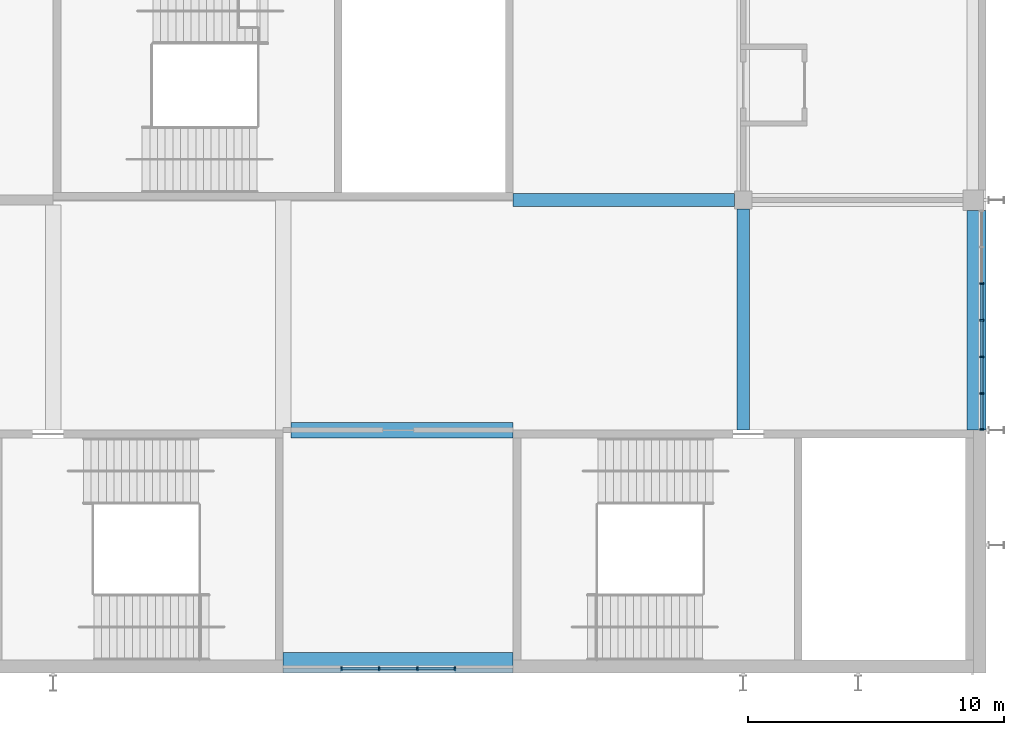
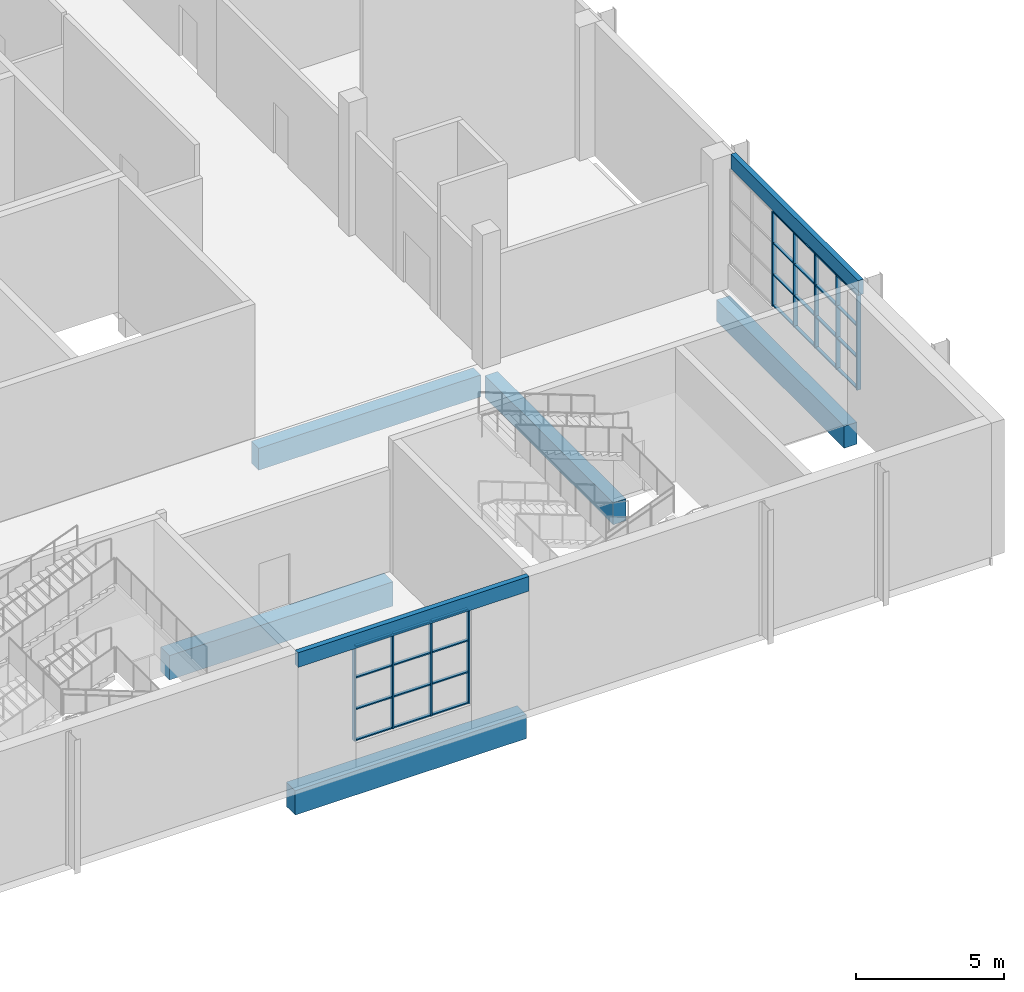
# One storey, part 21 of 84: 37 members, 7 beams, 2 elements without a shape of their own.
"""IFC4 building model written with IfcOpenShell, lengths in metres."""

from ifc_helpers import new_model, si_unit, direction, frame, origin, origin_2d, place, context, subcontext, project, spatial, rectangle, extrude, material, material_profile, profile_set, type_object, element, aggregate, save


model = new_model("IFC4")

# Units and contexts
model_context = context("Model", 3, precision=1e-05, world=origin(), true_north=direction((0.0, 1.0)))
body_context = subcontext(model_context, "Body", "Model", "MODEL_VIEW")
ifc_project = project(units=[si_unit("LENGTHUNIT", "METRE"), si_unit("AREAUNIT", "SQUARE_METRE"), si_unit("VOLUMEUNIT", "CUBIC_METRE"), si_unit("PLANEANGLEUNIT", "RADIAN"), si_unit("MASSUNIT", "GRAM", prefix="KILO")], contexts=[model_context])

# Site, building, storey
site_placement = place(None, origin())
site = spatial("IfcSite", under=ifc_project, at=site_placement, CompositionType="ELEMENT")
building_placement = place(site_placement, origin())
building = spatial("IfcBuilding", under=site, at=building_placement, Name="Silverbay Arena", CompositionType="ELEMENT")
storey_placement = place(building_placement, frame((0.0, 0.0, 28.0)))
storey = spatial("IfcBuildingStorey", under=building, at=storey_placement, Name="L04", CompositionType="ELEMENT", Elevation=28.0)

# Curtain wall, members
ifc_material_1 = material(Name="Aluminium framed curtain wall", Category="aluminium")
curtain_wall_type_1 = type_object("IfcCurtainWallType", Name="Curtain wall 4500 x 3900", PredefinedType="NOTDEFINED", material=ifc_material_1)
curtain_wall_1_placement = place(storey_placement, origin())
curtain_wall_1 = element("IfcCurtainWall", 1, at=curtain_wall_1_placement, inside=storey, type_object=curtain_wall_type_1, Name="South curtain wall L04 bay 15", PredefinedType="NOTDEFINED")
ifc_material_2 = material(Name="Aluminium", Category="aluminium")
ifc_material_profile_1 = material_profile(ifc_material_2, rectangle(XDim=0.159912109375, YDim=0.06005859375, at=origin_2d()), Name="Mullion 60 x 160")
ifc_profile_set_1 = profile_set([ifc_material_profile_1], Name="Aluminium")
member_type_1 = type_object("IfcMemberType", Name="Mullion 60 x 160", PredefinedType="MULLION", material=ifc_profile_set_1)
member_1_placement = place(storey_placement, frame((182.280029296875, 17.669921875, 1.0), z_axis=(0.0, 0.0, 1.0), x_axis=(0.0, 1.0, 0.0)))
member_1 = element("IfcMember", 2, at=member_1_placement, type_object=member_type_1, Name="CW15 mullion 1", PredefinedType="MULLION", context=body_context, shape_type="SweptSolid", body=[
    extrude(rectangle(XDim=0.159912109375, YDim=0.06005859375, at=origin_2d()), origin(), (0.0, 0.0, 1.0), 3.89990234375),
])
member_2_placement = place(storey_placement, frame((183.75, 17.669921875, 1.0), z_axis=(0.0, 0.0, 1.0), x_axis=(0.0, 1.0, 0.0)))
member_2 = element("IfcMember", 3, at=member_2_placement, type_object=member_type_1, Name="CW15 mullion 2", PredefinedType="MULLION", context=body_context, shape_type="SweptSolid", body=[
    extrude(rectangle(XDim=0.159912109375, YDim=0.06005859375, at=origin_2d()), origin(), (0.0, 0.0, 1.0), 3.89990234375),
])
member_3_placement = place(storey_placement, frame((185.25, 17.669921875, 1.0), z_axis=(0.0, 0.0, 1.0), x_axis=(0.0, 1.0, 0.0)))
member_3 = element("IfcMember", 4, at=member_3_placement, type_object=member_type_1, Name="CW15 mullion 3", PredefinedType="MULLION", context=body_context, shape_type="SweptSolid", body=[
    extrude(rectangle(XDim=0.159912109375, YDim=0.06005859375, at=origin_2d()), origin(), (0.0, 0.0, 1.0), 3.89990234375),
])
member_4_placement = place(storey_placement, frame((186.719970703125, 17.669921875, 1.0), z_axis=(0.0, 0.0, 1.0), x_axis=(0.0, 1.0, 0.0)))
member_4 = element("IfcMember", 5, at=member_4_placement, type_object=member_type_1, Name="CW15 mullion 4", PredefinedType="MULLION", context=body_context, shape_type="SweptSolid", body=[
    extrude(rectangle(XDim=0.159912109375, YDim=0.06005859375, at=origin_2d()), origin(), (0.0, 0.0, 1.0), 3.89990234375),
])

ifc_material_3 = material(Name="Aluminium framed curtain wall", Category="aluminium")
curtain_wall_type_2 = type_object("IfcCurtainWallType", Name="Curtain wall 8600 x 3900", PredefinedType="NOTDEFINED", material=ifc_material_3)
curtain_wall_2_placement = place(storey_placement, origin())
curtain_wall_2 = element("IfcCurtainWall", 6, at=curtain_wall_2_placement, inside=storey, type_object=curtain_wall_type_2, Name="East curtain wall L04 bay 2", PredefinedType="NOTDEFINED")
member_5_placement = place(storey_placement, frame((207.330078125, 27.030029296875, 1.0), z_axis=(0.0, 0.0, 1.0), x_axis=(-1.0, 0.0, 0.0)))
member_5 = element("IfcMember", 7, at=member_5_placement, type_object=member_type_1, Name="CW1 mullion 1", PredefinedType="MULLION", context=body_context, shape_type="SweptSolid", body=[
    extrude(rectangle(XDim=0.159912109375, YDim=0.06005859375, at=origin_2d()), origin(), (0.0, 0.0, 1.0), 3.89990234375),
])
member_6_placement = place(storey_placement, frame((207.330078125, 28.433349609375, 1.0), z_axis=(0.0, 0.0, 1.0), x_axis=(-1.0, 0.0, 0.0)))
member_6 = element("IfcMember", 8, at=member_6_placement, type_object=member_type_1, Name="CW1 mullion 2", PredefinedType="MULLION", context=body_context, shape_type="SweptSolid", body=[
    extrude(rectangle(XDim=0.159912109375, YDim=0.06005859375, at=origin_2d()), origin(), (0.0, 0.0, 1.0), 3.89990234375),
])
member_7_placement = place(storey_placement, frame((207.330078125, 29.86669921875, 1.0), z_axis=(0.0, 0.0, 1.0), x_axis=(-1.0, 0.0, 0.0)))
member_7 = element("IfcMember", 9, at=member_7_placement, type_object=member_type_1, Name="CW1 mullion 3", PredefinedType="MULLION", context=body_context, shape_type="SweptSolid", body=[
    extrude(rectangle(XDim=0.159912109375, YDim=0.06005859375, at=origin_2d()), origin(), (0.0, 0.0, 1.0), 3.89990234375),
])
member_8_placement = place(storey_placement, frame((207.330078125, 31.300048828125, 1.0), z_axis=(0.0, 0.0, 1.0), x_axis=(-1.0, 0.0, 0.0)))
member_8 = element("IfcMember", 10, at=member_8_placement, type_object=member_type_1, Name="CW1 mullion 4", PredefinedType="MULLION", context=body_context, shape_type="SweptSolid", body=[
    extrude(rectangle(XDim=0.159912109375, YDim=0.06005859375, at=origin_2d()), origin(), (0.0, 0.0, 1.0), 3.89990234375),
])
member_9_placement = place(storey_placement, frame((207.330078125, 32.7333984375, 1.0), z_axis=(0.0, 0.0, 1.0), x_axis=(-1.0, 0.0, 0.0)))
member_9 = element("IfcMember", 11, at=member_9_placement, type_object=member_type_1, Name="CW1 mullion 5", PredefinedType="MULLION", context=body_context, shape_type="SweptSolid", body=[
    extrude(rectangle(XDim=0.159912109375, YDim=0.06005859375, at=origin_2d()), origin(), (0.0, 0.0, 1.0), 3.89990234375),
])

# Beams
ifc_material_4 = material(Name="Concrete Grade C45", Category="concrete")
ifc_material_profile_2 = material_profile(ifc_material_4, rectangle(XDim=0.5, YDim=0.89990234375, at=origin_2d()), Name="RC 500x900")
ifc_profile_set_2 = profile_set([ifc_material_profile_2], Name="Concrete Grade C45")
beam_type_1 = type_object("IfcBeamType", Name="RC beam 500x900", PredefinedType="BEAM", material=ifc_profile_set_2)
for number, where, z_axis, x_axis, name in (
    (12, (189.0, 36.0, -0.75), (1.0, 0.0, 0.0), (0.0, 1.0, 0.0), "Floor beam L04 013"),
    (13, (198.0, 27.0, -0.75), (0.0, 1.0, 0.0), (-1.0, 0.0, 0.0), "Floor beam L04 145"),
):
    element("IfcBeam", number, at=place(storey_placement, frame(where, z_axis=z_axis, x_axis=x_axis)), inside=storey, type_object=beam_type_1, Name=name, PredefinedType="BEAM", context=body_context, shape_type="SweptSolid", body=[
        extrude(rectangle(XDim=0.5, YDim=0.89990234375, at=origin_2d()), origin(), (0.0, 0.0, 1.0), 8.64990234375),
    ])
beam_1_placement = place(storey_placement, frame((207.0, 27.0, -0.75), z_axis=(0.0, 1.0, 0.0), x_axis=(-1.0, 0.0, 0.0)))
element("IfcBeam", 14, at=beam_1_placement, inside=storey, type_object=beam_type_1, Name="Floor beam L04 153", PredefinedType="BEAM", context=body_context, shape_type="SweptSolid", body=[
    extrude(rectangle(XDim=0.5, YDim=0.89990234375, at=origin_2d()), origin(), (0.0, 0.0, 1.0), 8.60009765625),
])
ifc_material_5 = material(Name="Concrete Grade C45", Category="concrete")
ifc_material_profile_3 = material_profile(ifc_material_5, rectangle(XDim=0.60009765625, YDim=1.0, at=origin_2d()), Name="RC 600x1000")
ifc_profile_set_3 = profile_set([ifc_material_profile_3], Name="Concrete Grade C45")
beam_type_2 = type_object("IfcBeamType", Name="RC beam 600x1000", PredefinedType="BEAM", material=ifc_profile_set_3)
beam_2_placement = place(storey_placement, frame((180.0, 18.0, -0.800048828125), z_axis=(1.0, 0.0, 0.0), x_axis=(0.0, 1.0, 0.0)))
element("IfcBeam", 15, at=beam_2_placement, inside=storey, type_object=beam_type_2, Name="Floor beam L04 005", PredefinedType="BEAM", context=body_context, shape_type="SweptSolid", body=[
    extrude(rectangle(XDim=0.60009765625, YDim=1.0, at=origin_2d()), origin(), (0.0, 0.0, 1.0), 9.0),
])
beam_3_placement = place(storey_placement, frame((180.300048828125, 27.0, -0.800048828125), z_axis=(1.0, 0.0, 0.0), x_axis=(0.0, 1.0, 0.0)))
element("IfcBeam", 16, at=beam_3_placement, inside=storey, type_object=beam_type_2, Name="Floor beam L04 010", PredefinedType="BEAM", context=body_context, shape_type="SweptSolid", body=[
    extrude(rectangle(XDim=0.60009765625, YDim=1.0, at=origin_2d()), origin(), (0.0, 0.0, 1.0), 8.699951171875),
])
ifc_material_6 = material(Name="Concrete Grade C45", Category="concrete")
ifc_material_profile_4 = material_profile(ifc_material_6, rectangle(XDim=0.199951171875, YDim=0.60009765625, at=origin_2d()), Name="RC 200x600")
ifc_profile_set_4 = profile_set([ifc_material_profile_4], Name="Concrete Grade C45")
beam_type_3 = type_object("IfcBeamType", Name="RC facade beam 200x600", PredefinedType="SPANDREL", material=ifc_profile_set_4)
beam_4_placement = place(storey_placement, frame((180.0, 17.60009765625, 5.199951171875), z_axis=(1.0, 0.0, 0.0), x_axis=(0.0, 1.0, 0.0)))
element("IfcBeam", 17, at=beam_4_placement, inside=storey, type_object=beam_type_3, Name="Facade beam L04 south", PredefinedType="SPANDREL", context=body_context, shape_type="SweptSolid", body=[
    extrude(rectangle(XDim=0.199951171875, YDim=0.60009765625, at=origin_2d()), origin(), (0.0, 0.0, 1.0), 9.0),
])
beam_5_placement = place(storey_placement, frame((207.39990234375, 27.0, 5.199951171875), z_axis=(0.0, 1.0, 0.0), x_axis=(-1.0, 0.0, 0.0)))
element("IfcBeam", 18, at=beam_5_placement, inside=storey, type_object=beam_type_3, Name="Facade beam L04 east", PredefinedType="SPANDREL", context=body_context, shape_type="SweptSolid", body=[
    extrude(rectangle(XDim=0.199951171875, YDim=0.60009765625, at=origin_2d()), origin(), (0.0, 0.0, 1.0), 8.60009765625),
])

# Member
ifc_material_7 = material(Name="Aluminium", Category="aluminium")
ifc_material_profile_5 = material_profile(ifc_material_7, rectangle(XDim=0.1201171875, YDim=0.050048828125, at=origin_2d()), Name="Transom 50 x 120")
ifc_profile_set_5 = profile_set([ifc_material_profile_5], Name="Aluminium")
member_type_2 = type_object("IfcMemberType", Name="Transom 50 x 120", PredefinedType="USERDEFINED", material=ifc_profile_set_5)
member_10_placement = place(storey_placement, frame((182.31005859375, 17.669921875, 1.02490234375), z_axis=(1.0, 0.0, 0.0), x_axis=(0.0, 1.0, 0.0)))
member_10 = element("IfcMember", 19, at=member_10_placement, type_object=member_type_2, Name="CW15 transom 1.1", ObjectType="TRANSOM", PredefinedType="USERDEFINED", context=body_context, shape_type="SweptSolid", body=[
    extrude(rectangle(XDim=0.1201171875, YDim=0.050048828125, at=origin_2d()), origin(), (0.0, 0.0, 1.0), 1.409912109375),
])

member_11_placement = place(storey_placement, frame((182.31005859375, 17.669921875, 2.300048828125), z_axis=(1.0, 0.0, 0.0), x_axis=(0.0, 1.0, 0.0)))
member_11 = element("IfcMember", 20, at=member_11_placement, type_object=member_type_2, Name="CW15 transom 1.2", ObjectType="TRANSOM", PredefinedType="USERDEFINED", context=body_context, shape_type="SweptSolid", body=[
    extrude(rectangle(XDim=0.1201171875, YDim=0.050048828125, at=origin_2d()), origin(), (0.0, 0.0, 1.0), 1.409912109375),
])

member_12_placement = place(storey_placement, frame((182.31005859375, 17.669921875, 3.60009765625), z_axis=(1.0, 0.0, 0.0), x_axis=(0.0, 1.0, 0.0)))
member_12 = element("IfcMember", 21, at=member_12_placement, type_object=member_type_2, Name="CW15 transom 1.3", ObjectType="TRANSOM", PredefinedType="USERDEFINED", context=body_context, shape_type="SweptSolid", body=[
    extrude(rectangle(XDim=0.1201171875, YDim=0.050048828125, at=origin_2d()), origin(), (0.0, 0.0, 1.0), 1.409912109375),
])

member_13_placement = place(storey_placement, frame((182.31005859375, 17.669921875, 4.875), z_axis=(1.0, 0.0, 0.0), x_axis=(0.0, 1.0, 0.0)))
member_13 = element("IfcMember", 22, at=member_13_placement, type_object=member_type_2, Name="CW15 transom 1.4", ObjectType="TRANSOM", PredefinedType="USERDEFINED", context=body_context, shape_type="SweptSolid", body=[
    extrude(rectangle(XDim=0.1201171875, YDim=0.050048828125, at=origin_2d()), origin(), (0.0, 0.0, 1.0), 1.409912109375),
])

member_14_placement = place(storey_placement, frame((183.780029296875, 17.669921875, 1.02490234375), z_axis=(1.0, 0.0, 0.0), x_axis=(0.0, 1.0, 0.0)))
member_14 = element("IfcMember", 23, at=member_14_placement, type_object=member_type_2, Name="CW15 transom 2.1", ObjectType="TRANSOM", PredefinedType="USERDEFINED", context=body_context, shape_type="SweptSolid", body=[
    extrude(rectangle(XDim=0.1201171875, YDim=0.050048828125, at=origin_2d()), origin(), (0.0, 0.0, 1.0), 1.43994140625),
])

member_15_placement = place(storey_placement, frame((183.780029296875, 17.669921875, 2.300048828125), z_axis=(1.0, 0.0, 0.0), x_axis=(0.0, 1.0, 0.0)))
member_15 = element("IfcMember", 24, at=member_15_placement, type_object=member_type_2, Name="CW15 transom 2.2", ObjectType="TRANSOM", PredefinedType="USERDEFINED", context=body_context, shape_type="SweptSolid", body=[
    extrude(rectangle(XDim=0.1201171875, YDim=0.050048828125, at=origin_2d()), origin(), (0.0, 0.0, 1.0), 1.43994140625),
])

member_16_placement = place(storey_placement, frame((183.780029296875, 17.669921875, 3.60009765625), z_axis=(1.0, 0.0, 0.0), x_axis=(0.0, 1.0, 0.0)))
member_16 = element("IfcMember", 25, at=member_16_placement, type_object=member_type_2, Name="CW15 transom 2.3", ObjectType="TRANSOM", PredefinedType="USERDEFINED", context=body_context, shape_type="SweptSolid", body=[
    extrude(rectangle(XDim=0.1201171875, YDim=0.050048828125, at=origin_2d()), origin(), (0.0, 0.0, 1.0), 1.43994140625),
])

member_17_placement = place(storey_placement, frame((183.780029296875, 17.669921875, 4.875), z_axis=(1.0, 0.0, 0.0), x_axis=(0.0, 1.0, 0.0)))
member_17 = element("IfcMember", 26, at=member_17_placement, type_object=member_type_2, Name="CW15 transom 2.4", ObjectType="TRANSOM", PredefinedType="USERDEFINED", context=body_context, shape_type="SweptSolid", body=[
    extrude(rectangle(XDim=0.1201171875, YDim=0.050048828125, at=origin_2d()), origin(), (0.0, 0.0, 1.0), 1.43994140625),
])

member_18_placement = place(storey_placement, frame((185.280029296875, 17.669921875, 1.02490234375), z_axis=(1.0, 0.0, 0.0), x_axis=(0.0, 1.0, 0.0)))
member_18 = element("IfcMember", 27, at=member_18_placement, type_object=member_type_2, Name="CW15 transom 3.1", ObjectType="TRANSOM", PredefinedType="USERDEFINED", context=body_context, shape_type="SweptSolid", body=[
    extrude(rectangle(XDim=0.1201171875, YDim=0.050048828125, at=origin_2d()), origin(), (0.0, 0.0, 1.0), 1.409912109375),
])

member_19_placement = place(storey_placement, frame((185.280029296875, 17.669921875, 2.300048828125), z_axis=(1.0, 0.0, 0.0), x_axis=(0.0, 1.0, 0.0)))
member_19 = element("IfcMember", 28, at=member_19_placement, type_object=member_type_2, Name="CW15 transom 3.2", ObjectType="TRANSOM", PredefinedType="USERDEFINED", context=body_context, shape_type="SweptSolid", body=[
    extrude(rectangle(XDim=0.1201171875, YDim=0.050048828125, at=origin_2d()), origin(), (0.0, 0.0, 1.0), 1.409912109375),
])

member_20_placement = place(storey_placement, frame((185.280029296875, 17.669921875, 3.60009765625), z_axis=(1.0, 0.0, 0.0), x_axis=(0.0, 1.0, 0.0)))
member_20 = element("IfcMember", 29, at=member_20_placement, type_object=member_type_2, Name="CW15 transom 3.3", ObjectType="TRANSOM", PredefinedType="USERDEFINED", context=body_context, shape_type="SweptSolid", body=[
    extrude(rectangle(XDim=0.1201171875, YDim=0.050048828125, at=origin_2d()), origin(), (0.0, 0.0, 1.0), 1.409912109375),
])

member_21_placement = place(storey_placement, frame((185.280029296875, 17.669921875, 4.875), z_axis=(1.0, 0.0, 0.0), x_axis=(0.0, 1.0, 0.0)))
member_21 = element("IfcMember", 30, at=member_21_placement, type_object=member_type_2, Name="CW15 transom 3.4", ObjectType="TRANSOM", PredefinedType="USERDEFINED", context=body_context, shape_type="SweptSolid", body=[
    extrude(rectangle(XDim=0.1201171875, YDim=0.050048828125, at=origin_2d()), origin(), (0.0, 0.0, 1.0), 1.409912109375),
])

aggregate(curtain_wall_1, [member_1, member_2, member_3, member_4, member_10, member_11, member_12, member_13, member_14, member_15, member_16, member_17, member_18, member_19, member_20, member_21])

member_22_placement = place(storey_placement, frame((207.330078125, 27.06005859375, 1.02490234375), z_axis=(0.0, 1.0, 0.0), x_axis=(-1.0, 0.0, 0.0)))
member_22 = element("IfcMember", 31, at=member_22_placement, type_object=member_type_2, Name="CW1 transom 1.1", ObjectType="TRANSOM", PredefinedType="USERDEFINED", context=body_context, shape_type="SweptSolid", body=[
    extrude(rectangle(XDim=0.1201171875, YDim=0.050048828125, at=origin_2d()), origin(), (0.0, 0.0, 1.0), 1.34326171875),
])

member_23_placement = place(storey_placement, frame((207.330078125, 27.06005859375, 2.300048828125), z_axis=(0.0, 1.0, 0.0), x_axis=(-1.0, 0.0, 0.0)))
member_23 = element("IfcMember", 32, at=member_23_placement, type_object=member_type_2, Name="CW1 transom 1.2", ObjectType="TRANSOM", PredefinedType="USERDEFINED", context=body_context, shape_type="SweptSolid", body=[
    extrude(rectangle(XDim=0.1201171875, YDim=0.050048828125, at=origin_2d()), origin(), (0.0, 0.0, 1.0), 1.34326171875),
])

member_24_placement = place(storey_placement, frame((207.330078125, 27.06005859375, 3.60009765625), z_axis=(0.0, 1.0, 0.0), x_axis=(-1.0, 0.0, 0.0)))
member_24 = element("IfcMember", 33, at=member_24_placement, type_object=member_type_2, Name="CW1 transom 1.3", ObjectType="TRANSOM", PredefinedType="USERDEFINED", context=body_context, shape_type="SweptSolid", body=[
    extrude(rectangle(XDim=0.1201171875, YDim=0.050048828125, at=origin_2d()), origin(), (0.0, 0.0, 1.0), 1.34326171875),
])

member_25_placement = place(storey_placement, frame((207.330078125, 27.06005859375, 4.875), z_axis=(0.0, 1.0, 0.0), x_axis=(-1.0, 0.0, 0.0)))
member_25 = element("IfcMember", 34, at=member_25_placement, type_object=member_type_2, Name="CW1 transom 1.4", ObjectType="TRANSOM", PredefinedType="USERDEFINED", context=body_context, shape_type="SweptSolid", body=[
    extrude(rectangle(XDim=0.1201171875, YDim=0.050048828125, at=origin_2d()), origin(), (0.0, 0.0, 1.0), 1.34326171875),
])

member_26_placement = place(storey_placement, frame((207.330078125, 28.46337890625, 1.02490234375), z_axis=(0.0, 1.0, 0.0), x_axis=(-1.0, 0.0, 0.0)))
member_26 = element("IfcMember", 35, at=member_26_placement, type_object=member_type_2, Name="CW1 transom 2.1", ObjectType="TRANSOM", PredefinedType="USERDEFINED", context=body_context, shape_type="SweptSolid", body=[
    extrude(rectangle(XDim=0.1201171875, YDim=0.050048828125, at=origin_2d()), origin(), (0.0, 0.0, 1.0), 1.373291015625),
])

member_27_placement = place(storey_placement, frame((207.330078125, 28.46337890625, 2.300048828125), z_axis=(0.0, 1.0, 0.0), x_axis=(-1.0, 0.0, 0.0)))
member_27 = element("IfcMember", 36, at=member_27_placement, type_object=member_type_2, Name="CW1 transom 2.2", ObjectType="TRANSOM", PredefinedType="USERDEFINED", context=body_context, shape_type="SweptSolid", body=[
    extrude(rectangle(XDim=0.1201171875, YDim=0.050048828125, at=origin_2d()), origin(), (0.0, 0.0, 1.0), 1.373291015625),
])

member_28_placement = place(storey_placement, frame((207.330078125, 28.46337890625, 3.60009765625), z_axis=(0.0, 1.0, 0.0), x_axis=(-1.0, 0.0, 0.0)))
member_28 = element("IfcMember", 37, at=member_28_placement, type_object=member_type_2, Name="CW1 transom 2.3", ObjectType="TRANSOM", PredefinedType="USERDEFINED", context=body_context, shape_type="SweptSolid", body=[
    extrude(rectangle(XDim=0.1201171875, YDim=0.050048828125, at=origin_2d()), origin(), (0.0, 0.0, 1.0), 1.373291015625),
])

member_29_placement = place(storey_placement, frame((207.330078125, 28.46337890625, 4.875), z_axis=(0.0, 1.0, 0.0), x_axis=(-1.0, 0.0, 0.0)))
member_29 = element("IfcMember", 38, at=member_29_placement, type_object=member_type_2, Name="CW1 transom 2.4", ObjectType="TRANSOM", PredefinedType="USERDEFINED", context=body_context, shape_type="SweptSolid", body=[
    extrude(rectangle(XDim=0.1201171875, YDim=0.050048828125, at=origin_2d()), origin(), (0.0, 0.0, 1.0), 1.373291015625),
])

member_30_placement = place(storey_placement, frame((207.330078125, 29.896728515625, 1.02490234375), z_axis=(0.0, 1.0, 0.0), x_axis=(-1.0, 0.0, 0.0)))
member_30 = element("IfcMember", 39, at=member_30_placement, type_object=member_type_2, Name="CW1 transom 3.1", ObjectType="TRANSOM", PredefinedType="USERDEFINED", context=body_context, shape_type="SweptSolid", body=[
    extrude(rectangle(XDim=0.1201171875, YDim=0.050048828125, at=origin_2d()), origin(), (0.0, 0.0, 1.0), 1.373291015625),
])

member_31_placement = place(storey_placement, frame((207.330078125, 29.896728515625, 2.300048828125), z_axis=(0.0, 1.0, 0.0), x_axis=(-1.0, 0.0, 0.0)))
member_31 = element("IfcMember", 40, at=member_31_placement, type_object=member_type_2, Name="CW1 transom 3.2", ObjectType="TRANSOM", PredefinedType="USERDEFINED", context=body_context, shape_type="SweptSolid", body=[
    extrude(rectangle(XDim=0.1201171875, YDim=0.050048828125, at=origin_2d()), origin(), (0.0, 0.0, 1.0), 1.373291015625),
])

member_32_placement = place(storey_placement, frame((207.330078125, 29.896728515625, 3.60009765625), z_axis=(0.0, 1.0, 0.0), x_axis=(-1.0, 0.0, 0.0)))
member_32 = element("IfcMember", 41, at=member_32_placement, type_object=member_type_2, Name="CW1 transom 3.3", ObjectType="TRANSOM", PredefinedType="USERDEFINED", context=body_context, shape_type="SweptSolid", body=[
    extrude(rectangle(XDim=0.1201171875, YDim=0.050048828125, at=origin_2d()), origin(), (0.0, 0.0, 1.0), 1.373291015625),
])

member_33_placement = place(storey_placement, frame((207.330078125, 29.896728515625, 4.875), z_axis=(0.0, 1.0, 0.0), x_axis=(-1.0, 0.0, 0.0)))
member_33 = element("IfcMember", 42, at=member_33_placement, type_object=member_type_2, Name="CW1 transom 3.4", ObjectType="TRANSOM", PredefinedType="USERDEFINED", context=body_context, shape_type="SweptSolid", body=[
    extrude(rectangle(XDim=0.1201171875, YDim=0.050048828125, at=origin_2d()), origin(), (0.0, 0.0, 1.0), 1.373291015625),
])

member_34_placement = place(storey_placement, frame((207.330078125, 31.330078125, 1.02490234375), z_axis=(0.0, 1.0, 0.0), x_axis=(-1.0, 0.0, 0.0)))
member_34 = element("IfcMember", 43, at=member_34_placement, type_object=member_type_2, Name="CW1 transom 4.1", ObjectType="TRANSOM", PredefinedType="USERDEFINED", context=body_context, shape_type="SweptSolid", body=[
    extrude(rectangle(XDim=0.1201171875, YDim=0.050048828125, at=origin_2d()), origin(), (0.0, 0.0, 1.0), 1.373291015625),
])

member_35_placement = place(storey_placement, frame((207.330078125, 31.330078125, 2.300048828125), z_axis=(0.0, 1.0, 0.0), x_axis=(-1.0, 0.0, 0.0)))
member_35 = element("IfcMember", 44, at=member_35_placement, type_object=member_type_2, Name="CW1 transom 4.2", ObjectType="TRANSOM", PredefinedType="USERDEFINED", context=body_context, shape_type="SweptSolid", body=[
    extrude(rectangle(XDim=0.1201171875, YDim=0.050048828125, at=origin_2d()), origin(), (0.0, 0.0, 1.0), 1.373291015625),
])

member_36_placement = place(storey_placement, frame((207.330078125, 31.330078125, 3.60009765625), z_axis=(0.0, 1.0, 0.0), x_axis=(-1.0, 0.0, 0.0)))
member_36 = element("IfcMember", 45, at=member_36_placement, type_object=member_type_2, Name="CW1 transom 4.3", ObjectType="TRANSOM", PredefinedType="USERDEFINED", context=body_context, shape_type="SweptSolid", body=[
    extrude(rectangle(XDim=0.1201171875, YDim=0.050048828125, at=origin_2d()), origin(), (0.0, 0.0, 1.0), 1.373291015625),
])

member_37_placement = place(storey_placement, frame((207.330078125, 31.330078125, 4.875), z_axis=(0.0, 1.0, 0.0), x_axis=(-1.0, 0.0, 0.0)))
member_37 = element("IfcMember", 46, at=member_37_placement, type_object=member_type_2, Name="CW1 transom 4.4", ObjectType="TRANSOM", PredefinedType="USERDEFINED", context=body_context, shape_type="SweptSolid", body=[
    extrude(rectangle(XDim=0.1201171875, YDim=0.050048828125, at=origin_2d()), origin(), (0.0, 0.0, 1.0), 1.373291015625),
])

aggregate(curtain_wall_2, [member_5, member_6, member_7, member_8, member_9, member_22, member_23, member_24, member_25, member_26, member_27, member_28, member_29, member_30, member_31, member_32, member_33, member_34, member_35, member_36, member_37])

save(model, "model.ifc")
